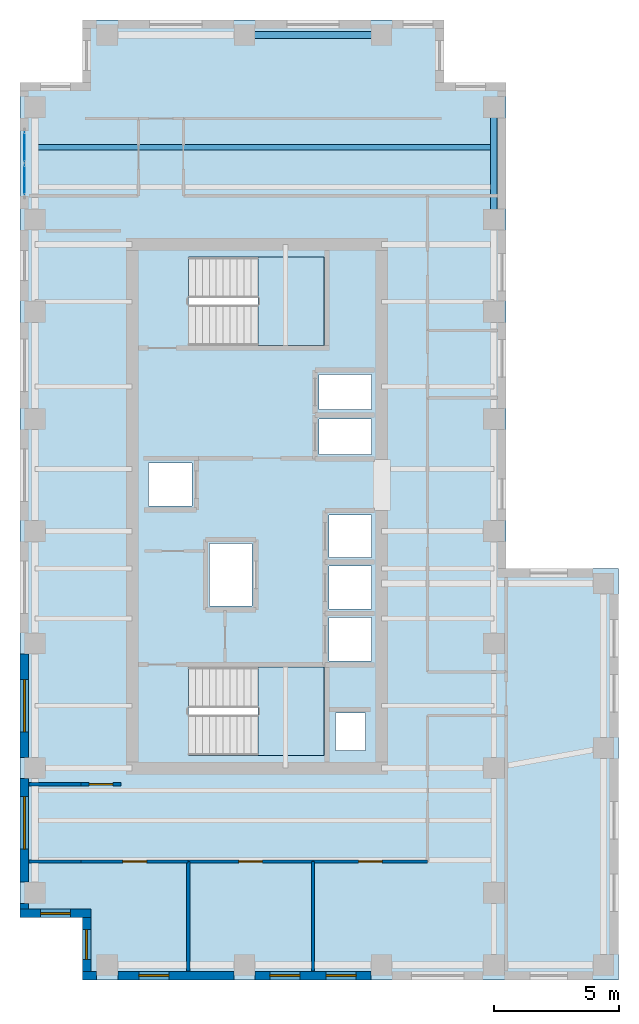
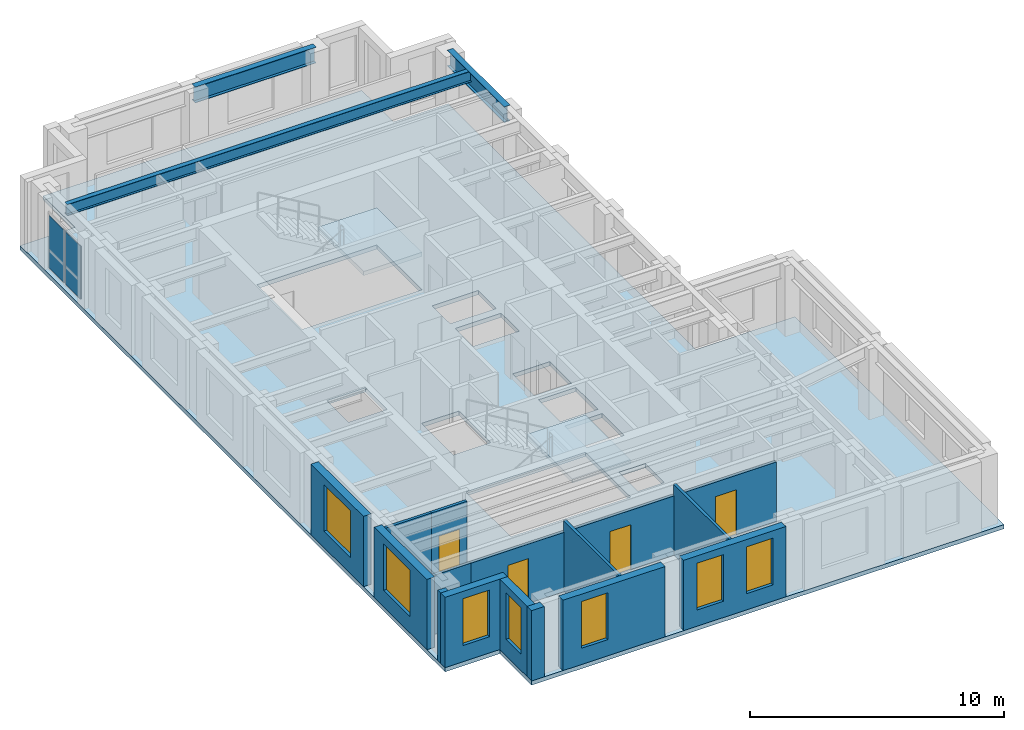
# One storey, part 5 of 10: 16 walls, 7 windows, 4 doors, 3 beams, 3 slabs, 2 plates, 11 openings, 3 elements without a shape of their own.
"""IFC4 building model written with IfcOpenShell, lengths in metres."""

from ifc_helpers import new_model, si_unit, direction, frame, frame_2d, origin, origin_2d, place, context, subcontext, project, spatial, polyline, rectangle, i_section, outline, extrude, source, transform, mapped, material, layer, layer_set, material_profile, profile_set, type_object, element, fill, aggregate, save


model = new_model("IFC4")

# Units and contexts
model_context = context("Model", 3, precision=1e-05, world=origin(), true_north=direction((0.0, 1.0)))
body_context = subcontext(model_context, "Body", "Model", "MODEL_VIEW")
ifc_project = project(units=[si_unit("LENGTHUNIT", "METRE"), si_unit("AREAUNIT", "SQUARE_METRE"), si_unit("VOLUMEUNIT", "CUBIC_METRE"), si_unit("PLANEANGLEUNIT", "RADIAN"), si_unit("MASSUNIT", "GRAM", prefix="KILO")], contexts=[model_context])

# Site, building, storey
site_placement = place(None, origin())
site = spatial("IfcSite", under=ifc_project, at=site_placement, CompositionType="ELEMENT")
building_placement = place(site_placement, origin())
building = spatial("IfcBuilding", under=site, at=building_placement, Name="Kharzan Plaza Tower", CompositionType="ELEMENT")
storey_placement = place(building_placement, frame((0.0, 0.0, 270.0)))
storey = spatial("IfcBuildingStorey", under=building, at=storey_placement, Name="L73", CompositionType="ELEMENT", Elevation=270.0)

# Beams
ifc_material_1 = material(Name="Steel S355", Category="steel")
ifc_material_profile_1 = material_profile(ifc_material_1, i_section(OverallWidth=0.2099609375, OverallDepth=0.537109375, WebThickness=0.010986328125, FlangeThickness=0.017333984375, at=origin_2d()), Name="W530x101")
ifc_profile_set_1 = profile_set([ifc_material_profile_1], Name="Steel S355")
beam_type_1 = type_object("IfcBeamType", Name="BM-JST530B", PredefinedType="JOIST", material=ifc_profile_set_1)
shared_shape_1 = source(origin(), body_context, "Body", "SweptSolid", [
    extrude(i_section(OverallWidth=0.2099609375, OverallDepth=0.537109375, WebThickness=0.010986328125, FlangeThickness=0.017333984375, at=origin_2d()), origin(), (0.0, 0.0, 1.0), 18.39990234375),
])
beam_1_placement = place(storey_placement, frame((0.60009765625, 33.39990234375, 3.131591796875), z_axis=(1.0, 0.0, 0.0), x_axis=(0.0, 1.0, 0.0)))
element("IfcBeam", 1, at=beam_1_placement, inside=storey, type_object=beam_type_1, Name="L73 Wing A Composite Joist 05", PredefinedType="JOIST", context=body_context, shape_type="MappedRepresentation", body=[
    mapped(shared_shape_1, transform((0.0, 0.0, 0.0), x_axis=(1.0, 0.0, 0.0), y_axis=(0.0, 1.0, 0.0), z_axis=(0.0, 0.0, 1.0))),
])
ifc_material_profile_2 = material_profile(ifc_material_1, i_section(OverallWidth=0.26708984375, OverallDepth=0.76611328125, WebThickness=0.014892578125, FlangeThickness=0.023681640625, at=origin_2d()), Name="W760x185")
ifc_profile_set_2 = profile_set([ifc_material_profile_2], Name="Steel S355")
beam_type_2 = type_object("IfcBeamType", Name="BM-SP760B", PredefinedType="SPANDREL", material=ifc_profile_set_2)
shared_shape_2 = source(origin(), body_context, "Body", "SweptSolid", [
    extrude(i_section(OverallWidth=0.26708984375, OverallDepth=0.76611328125, WebThickness=0.014892578125, FlangeThickness=0.023681640625, at=origin_2d()), origin(), (0.0, 0.0, 1.0), 4.5),
])
beam_2_placement = place(storey_placement, frame((19.0, 30.5, 3.01708984375), z_axis=(0.0, 1.0, 0.0), x_axis=(-1.0, 0.0, 0.0)))
element("IfcBeam", 2, at=beam_2_placement, inside=storey, type_object=beam_type_2, Name="L73 Perimeter Tube Spandrel", PredefinedType="SPANDREL", context=body_context, shape_type="MappedRepresentation", body=[
    mapped(shared_shape_2, transform((0.0, 0.0, 0.0), x_axis=(1.0, 0.0, 0.0), y_axis=(0.0, 1.0, 0.0), z_axis=(0.0, 0.0, 1.0))),
])
shared_shape_3 = source(origin(), body_context, "Body", "SweptSolid", [
    extrude(i_section(OverallWidth=0.26708984375, OverallDepth=0.76611328125, WebThickness=0.014892578125, FlangeThickness=0.023681640625, at=origin_2d()), origin(), (0.0, 0.0, 1.0), 5.5),
])
beam_3_placement = place(storey_placement, frame((9.0, 37.89990234375, 3.01708984375), z_axis=(1.0, 0.0, 0.0), x_axis=(0.0, 1.0, 0.0)))
element("IfcBeam", 3, at=beam_3_placement, inside=storey, type_object=beam_type_2, Name="L73 Perimeter Tube Spandrel", PredefinedType="SPANDREL", context=body_context, shape_type="MappedRepresentation", body=[
    mapped(shared_shape_3, transform((0.0, 0.0, 0.0), x_axis=(1.0, 0.0, 0.0), y_axis=(0.0, 1.0, 0.0), z_axis=(0.0, 0.0, 1.0))),
])

# Slab
ifc_material_2 = material(Name="Concrete C40/50", Category="concrete")
ifc_layer_1 = layer(ifc_material_2, 0.199951171875)
ifc_layer_set_1 = layer_set([ifc_layer_1], Name="Concrete C40/50")
slab_type_1 = type_object("IfcSlabType", Name="SL-FLOOR-200", PredefinedType="FLOOR", material=ifc_layer_set_1)
slab_1_placement = place(storey_placement, frame((0.0, 0.0, -0.199951171875)))
element("IfcSlab", 4, at=slab_1_placement, inside=storey, type_object=slab_type_1, Name="L73 Composite Structural Floor Slab 200 mm", PredefinedType="FLOOR", context=body_context, shape_type="SweptSolid", body=[
    extrude(outline(polyline([(19.5, 36.0), (17.0, 36.0), (17.0, 38.5), (2.5, 38.5), (2.5, 36.0), (0.0, 36.0), (0.0, 2.5), (2.5, 2.5), (2.5, 0.0), (19.5, 0.0), (24.0, 0.0), (24.0, 16.5), (19.5, 16.5), (19.5, 36.0)]), holes=[polyline([(13.85009765625, 10.699951171875), (12.64990234375, 10.699951171875), (12.64990234375, 9.199951171875), (13.85009765625, 9.199951171875), (13.85009765625, 10.699951171875)]), polyline([(12.199951171875, 12.550048828125), (6.75, 12.550048828125), (6.75, 9.0), (12.199951171875, 9.0), (12.199951171875, 12.550048828125)]), polyline([(14.10009765625, 14.530029296875), (12.39990234375, 14.530029296875), (12.39990234375, 12.800048828125), (14.10009765625, 12.800048828125), (14.10009765625, 14.530029296875)]), polyline([(14.10009765625, 14.8701171875), (14.10009765625, 16.60009765625), (12.39990234375, 16.60009765625), (12.39990234375, 14.8701171875), (14.10009765625, 14.8701171875)]), polyline([(9.300048828125, 15.0), (9.300048828125, 17.5), (7.60009765625, 17.5), (7.60009765625, 15.0), (9.300048828125, 15.0)]), polyline([(14.10009765625, 18.64990234375), (12.39990234375, 18.64990234375), (12.39990234375, 16.93994140625), (14.10009765625, 16.93994140625), (14.10009765625, 18.64990234375)]), polyline([(6.89990234375, 20.72998046875), (5.14990234375, 20.72998046875), (5.14990234375, 19.010009765625), (6.89990234375, 19.010009765625), (6.89990234375, 20.72998046875)]), polyline([(14.10009765625, 22.489990234375), (12.0, 22.489990234375), (12.0, 21.070068359375), (14.10009765625, 21.070068359375), (14.10009765625, 22.489990234375)]), polyline([(14.10009765625, 22.8701171875), (14.10009765625, 24.2900390625), (12.0, 24.2900390625), (12.0, 22.8701171875), (14.10009765625, 22.8701171875)]), polyline([(12.199951171875, 25.449951171875), (12.199951171875, 29.0), (6.75, 29.0), (6.75, 25.449951171875), (12.199951171875, 25.449951171875)])]), origin(), (0.0, 0.0, 1.0), 0.199951171875),
])

# Stair, slab
stair_type_1 = type_object("IfcStairType", Name="STR-ST-1", PredefinedType="HALF_TURN_STAIR", material=ifc_material_2)
stair_1_placement = place(storey_placement, origin())
stair_1 = element("IfcStair", 5, at=stair_1_placement, inside=storey, type_object=stair_type_1, Name="L73 Protected Exit Stair ST-1", PredefinedType="HALF_TURN_STAIR")
ifc_layer_2 = layer(ifc_material_2, 0.219970703125)
ifc_layer_set_2 = layer_set([ifc_layer_2], Name="Concrete C40/50")
slab_type_2 = type_object("IfcSlabType", Name="SL-LANDING-220", PredefinedType="LANDING", material=ifc_layer_set_2)
slab_2_placement = place(storey_placement, frame((0.0, 0.0, 1.60009765625)))
slab_2 = element("IfcSlab", 6, at=slab_2_placement, type_object=slab_type_2, Name="ST-1 landing 1", PredefinedType="LANDING", context=body_context, shape_type="SweptSolid", body=[
    extrude(outline(polyline([(9.550048828125, 9.0), (12.199951171875, 9.0), (12.199951171875, 12.550048828125), (9.550048828125, 12.550048828125), (9.550048828125, 9.0)])), origin(), (0.0, 0.0, 1.0), 0.199951171875),
])
aggregate(stair_1, [slab_2])

stair_type_2 = type_object("IfcStairType", Name="STR-ST-2", PredefinedType="HALF_TURN_STAIR", material=ifc_material_2)
stair_2_placement = place(storey_placement, origin())
stair_2 = element("IfcStair", 7, at=stair_2_placement, inside=storey, type_object=stair_type_2, Name="L73 Protected Exit Stair ST-2", PredefinedType="HALF_TURN_STAIR")
slab_3_placement = place(storey_placement, frame((0.0, 0.0, 1.60009765625)))
slab_3 = element("IfcSlab", 8, at=slab_3_placement, type_object=slab_type_2, Name="ST-2 landing 1", PredefinedType="LANDING", context=body_context, shape_type="SweptSolid", body=[
    extrude(outline(polyline([(9.550048828125, 25.449951171875), (12.199951171875, 25.449951171875), (12.199951171875, 29.0), (9.550048828125, 29.0), (9.550048828125, 25.449951171875)])), origin(), (0.0, 0.0, 1.0), 0.199951171875),
])
aggregate(stair_2, [slab_3])

# Curtain wall, plates
ifc_material_3 = material(Name="Unitised Bronze-Anodized Aluminium and Low-E Glass", Category="aluminium")
ifc_layer_3 = layer(ifc_material_3, 0.199951171875)
ifc_layer_set_3 = layer_set([ifc_layer_3], Name="Unitised Bronze-Anodized Aluminium and Low-E Glass")
curtain_wall_type = type_object("IfcCurtainWallType", Name="CW-EXEC-5", PredefinedType="NOTDEFINED", material=ifc_layer_set_3)
curtain_wall_placement = place(storey_placement, origin())
curtain_wall = element("IfcCurtainWall", 9, at=curtain_wall_placement, inside=storey, type_object=curtain_wall_type, Name="L73 Upper Executive Setback Panoramic Curtain Wall", PredefinedType="NOTDEFINED")
ifc_material_4 = material(Name="Dark Solar-Control Double Glazing", Category="glass")
ifc_layer_4 = layer(ifc_material_4, 0.031982421875)
ifc_layer_set_4 = layer_set([ifc_layer_4], Name="Dark Solar-Control Double Glazing")
plate_type = type_object("IfcPlateType", Name="PLT-CW-GLASS", PredefinedType="CURTAIN_PANEL", material=ifc_layer_set_4)
shared_shape_4 = source(origin(), body_context, "Body", "SweptSolid", [
    extrude(rectangle(XDim=1.179931640625, YDim=0.031982421875, at=origin_2d()), origin(), (0.0, 0.0, 1.0), 2.5400390625),
])
plate_1_placement = place(storey_placement, frame((0.179931640625, 32.10009765625, 0.080078125), z_axis=(0.0, 0.0, 1.0), x_axis=(0.0, 1.0, 0.0)))
plate_1 = element("IfcPlate", 10, at=plate_1_placement, type_object=plate_type, Name="L73 Curtain-Wall Glazed Panel 00", PredefinedType="CURTAIN_PANEL", context=body_context, shape_type="MappedRepresentation", body=[
    mapped(shared_shape_4, transform((0.0, 0.0, 0.0), x_axis=(1.0, 0.0, 0.0), y_axis=(0.0, 1.0, 0.0), z_axis=(0.0, 0.0, 1.0))),
])
plate_2_placement = place(storey_placement, frame((0.179931640625, 33.39990234375, 0.080078125), z_axis=(0.0, 0.0, 1.0), x_axis=(0.0, 1.0, 0.0)))
plate_2 = element("IfcPlate", 11, at=plate_2_placement, type_object=plate_type, Name="L73 Curtain-Wall Glazed Panel 01", PredefinedType="CURTAIN_PANEL", context=body_context, shape_type="MappedRepresentation", body=[
    mapped(shared_shape_4, transform((0.0, 0.0, 0.0), x_axis=(1.0, 0.0, 0.0), y_axis=(0.0, 1.0, 0.0), z_axis=(0.0, 0.0, 1.0))),
])
aggregate(curtain_wall, [plate_1, plate_2])

# Wall, opening, window
ifc_layer_5 = layer(ifc_material_2, 0.35009765625)
ifc_layer_set_5 = layer_set([ifc_layer_5], Name="Concrete C40/50")
wall_type_1 = type_object("IfcWallType", Name="WL-EXT-MAS-Z4", PredefinedType="SOLIDWALL", material=ifc_layer_set_5)
wall_1_placement = place(storey_placement, frame((0.175048828125, 13.076904296875, 0.0), z_axis=(0.0, 0.0, 1.0), x_axis=(0.0, -1.0, 0.0)))
wall_1 = element("IfcWall", 12, at=wall_1_placement, inside=storey, type_object=wall_type_1, Name="L73 Masonry-Frame Exterior Wall 15", PredefinedType="SOLIDWALL", context=body_context, shape_type="SweptSolid", body=[
    extrude(rectangle(XDim=4.15380859375, YDim=0.35009765625, at=frame_2d((2.076904296875, 0.0))), origin(), (0.0, 0.0, 1.0), 3.385009765625),
])
opening_1_placement = place(wall_1_placement, frame((1.027099609375, 0.0, 0.780029296875)))
opening_1 = element("IfcOpeningElement", 13, at=opening_1_placement, cuts=wall_1, Name="Opening W6", PredefinedType="OPENING", context=body_context, shape_type="SweptSolid", body=[
    extrude(rectangle(XDim=2.10009765625, YDim=2.25, at=frame_2d((1.050048828125, 1.125))), frame((0.0, 0.18505859375, 0.0), z_axis=(0.0, -1.0, 0.0), x_axis=(1.0, 0.0, 0.0)), (0.0, 0.0, 1.0), 0.3701171875),
])
ifc_material_5 = material(Name="Low-E Double Glazing", Category="glass")
window_type_1 = type_object("IfcWindowType", Name="WN-EXEC-2100x2250", PartitioningType="SINGLE_PANEL", PredefinedType="WINDOW", material=ifc_material_5)
shared_shape_5 = source(origin(), body_context, "Body", "SweptSolid", [
    extrude(rectangle(XDim=2.10009765625, YDim=2.25, at=frame_2d((1.050048828125, 1.125))), frame((0.0, 0.030029296875, 0.0), z_axis=(0.0, -1.0, 0.0), x_axis=(1.0, 0.0, 0.0)), (0.0, 0.0, 1.0), 0.06005859375),
])
window_1_placement = place(opening_1_placement, origin())
window_1 = element("IfcWindow", 14, at=window_1_placement, inside=storey, type_object=window_type_1, Name="L73 Recessed Solar-Control Window 15-1", OverallHeight=2.25, OverallWidth=2.10009765625, PartitioningType="SINGLE_PANEL", PredefinedType="WINDOW", context=body_context, shape_type="MappedRepresentation", body=[
    mapped(shared_shape_5, transform((0.0, 0.0, 0.0), x_axis=(1.0, 0.0, 0.0), y_axis=(0.0, 1.0, 0.0), z_axis=(0.0, 0.0, 1.0))),
])
fill(opening_1, window_1)

wall_2_placement = place(storey_placement, frame((0.175048828125, 8.076904296875, 0.0), z_axis=(0.0, 0.0, 1.0), x_axis=(0.0, -1.0, 0.0)))
wall_2 = element("IfcWall", 15, at=wall_2_placement, inside=storey, type_object=wall_type_1, Name="L73 Masonry-Frame Exterior Wall 16", PredefinedType="SOLIDWALL", context=body_context, shape_type="SweptSolid", body=[
    extrude(rectangle(XDim=4.15380859375, YDim=0.35009765625, at=frame_2d((2.076904296875, 0.0))), origin(), (0.0, 0.0, 1.0), 3.385009765625),
])
opening_2_placement = place(wall_2_placement, frame((0.72705078125, 0.0, 0.780029296875)))
opening_2 = element("IfcOpeningElement", 16, at=opening_2_placement, cuts=wall_2, Name="Opening W6", PredefinedType="OPENING", context=body_context, shape_type="SweptSolid", body=[
    extrude(rectangle(XDim=2.10009765625, YDim=2.25, at=frame_2d((1.050048828125, 1.125))), frame((0.0, 0.18505859375, 0.0), z_axis=(0.0, -1.0, 0.0), x_axis=(1.0, 0.0, 0.0)), (0.0, 0.0, 1.0), 0.3701171875),
])
window_2_placement = place(opening_2_placement, origin())
window_2 = element("IfcWindow", 17, at=window_2_placement, inside=storey, type_object=window_type_1, Name="L73 Recessed Solar-Control Window 16-1", OverallHeight=2.25, OverallWidth=2.10009765625, PartitioningType="SINGLE_PANEL", PredefinedType="WINDOW", context=body_context, shape_type="MappedRepresentation", body=[
    mapped(shared_shape_5, transform((0.0, 0.0, 0.0), x_axis=(1.0, 0.0, 0.0), y_axis=(0.0, 1.0, 0.0), z_axis=(0.0, 0.0, 1.0))),
])
fill(opening_2, window_2)

wall_3_placement = place(storey_placement, frame((0.0, 2.675048828125, 0.0), z_axis=(0.0, 0.0, 1.0), x_axis=(1.0, 0.0, 0.0)))
wall_3 = element("IfcWall", 18, at=wall_3_placement, inside=storey, type_object=wall_type_1, Name="L73 Masonry-Frame Exterior Wall 18", PredefinedType="SOLIDWALL", context=body_context, shape_type="SweptSolid", body=[
    extrude(rectangle(XDim=2.85009765625, YDim=0.35009765625, at=frame_2d((1.425048828125, 0.0))), origin(), (0.0, 0.0, 1.0), 3.385009765625),
])
opening_3_placement = place(wall_3_placement, frame((0.824951171875, 0.0, 0.780029296875)))
opening_3 = element("IfcOpeningElement", 19, at=opening_3_placement, cuts=wall_3, Name="Opening W3", PredefinedType="OPENING", context=body_context, shape_type="SweptSolid", body=[
    extrude(rectangle(XDim=1.199951171875, YDim=2.25, at=frame_2d((0.60009765625, 1.125))), frame((0.0, 0.18505859375, 0.0), z_axis=(0.0, -1.0, 0.0), x_axis=(1.0, 0.0, 0.0)), (0.0, 0.0, 1.0), 0.3701171875),
])
window_type_2 = type_object("IfcWindowType", Name="WN-REC-1200x2100", PartitioningType="SINGLE_PANEL", PredefinedType="WINDOW", material=ifc_material_5)
shared_shape_6 = source(origin(), body_context, "Body", "SweptSolid", [
    extrude(rectangle(XDim=1.199951171875, YDim=2.25, at=frame_2d((0.60009765625, 1.125))), frame((0.0, 0.030029296875, 0.0), z_axis=(0.0, -1.0, 0.0), x_axis=(1.0, 0.0, 0.0)), (0.0, 0.0, 1.0), 0.06005859375),
])
window_3_placement = place(opening_3_placement, origin())
window_3 = element("IfcWindow", 20, at=window_3_placement, inside=storey, type_object=window_type_2, Name="L73 Recessed Solar-Control Window 18-1", OverallHeight=2.25, OverallWidth=1.199951171875, PartitioningType="SINGLE_PANEL", PredefinedType="WINDOW", context=body_context, shape_type="MappedRepresentation", body=[
    mapped(shared_shape_6, transform((0.0, 0.0, 0.0), x_axis=(1.0, 0.0, 0.0), y_axis=(0.0, 1.0, 0.0), z_axis=(0.0, 0.0, 1.0))),
])
fill(opening_3, window_3)

wall_4_placement = place(storey_placement, frame((2.675048828125, 2.501953125, 0.0), z_axis=(0.0, 0.0, 1.0), x_axis=(0.0, -1.0, 0.0)))
wall_4 = element("IfcWall", 21, at=wall_4_placement, inside=storey, type_object=wall_type_1, Name="L73 Masonry-Frame Exterior Wall 19", PredefinedType="SOLIDWALL", context=body_context, shape_type="SweptSolid", body=[
    extrude(rectangle(XDim=2.154052734375, YDim=0.35009765625, at=frame_2d((1.0771484375, 0.0))), origin(), (0.0, 0.0, 1.0), 3.385009765625),
])
opening_4_placement = place(wall_4_placement, frame((0.47705078125, 0.0, 0.780029296875)))
opening_4 = element("IfcOpeningElement", 22, at=opening_4_placement, cuts=wall_4, Name="Opening W3", PredefinedType="OPENING", context=body_context, shape_type="SweptSolid", body=[
    extrude(rectangle(XDim=1.199951171875, YDim=2.25, at=frame_2d((0.60009765625, 1.125))), frame((0.0, 0.18505859375, 0.0), z_axis=(0.0, -1.0, 0.0), x_axis=(1.0, 0.0, 0.0)), (0.0, 0.0, 1.0), 0.3701171875),
])
window_4_placement = place(opening_4_placement, origin())
window_4 = element("IfcWindow", 23, at=window_4_placement, inside=storey, type_object=window_type_2, Name="L73 Recessed Solar-Control Window 19-1", OverallHeight=2.25, OverallWidth=1.199951171875, PartitioningType="SINGLE_PANEL", PredefinedType="WINDOW", context=body_context, shape_type="MappedRepresentation", body=[
    mapped(shared_shape_6, transform((0.0, 0.0, 0.0), x_axis=(1.0, 0.0, 0.0), y_axis=(0.0, 1.0, 0.0), z_axis=(0.0, 0.0, 1.0))),
])
fill(opening_4, window_4)

wall_5_placement = place(storey_placement, frame((3.923095703125, 0.175048828125, 0.0), z_axis=(0.0, 0.0, 1.0), x_axis=(1.0, 0.0, 0.0)))
wall_5 = element("IfcWall", 24, at=wall_5_placement, inside=storey, type_object=wall_type_1, Name="L73 Masonry-Frame Exterior Wall 21", PredefinedType="SOLIDWALL", context=body_context, shape_type="SweptSolid", body=[
    extrude(rectangle(XDim=4.65380859375, YDim=0.35009765625, at=frame_2d((2.326904296875, 0.0))), origin(), (0.0, 0.0, 1.0), 3.385009765625),
])
opening_5_placement = place(wall_5_placement, frame((0.846923828125, 0.0, 0.780029296875)))
opening_5 = element("IfcOpeningElement", 25, at=opening_5_placement, cuts=wall_5, Name="Opening W3", PredefinedType="OPENING", context=body_context, shape_type="SweptSolid", body=[
    extrude(rectangle(XDim=1.199951171875, YDim=2.25, at=frame_2d((0.60009765625, 1.125))), frame((0.0, 0.18505859375, 0.0), z_axis=(0.0, -1.0, 0.0), x_axis=(1.0, 0.0, 0.0)), (0.0, 0.0, 1.0), 0.3701171875),
])
window_5_placement = place(opening_5_placement, origin())
window_5 = element("IfcWindow", 26, at=window_5_placement, inside=storey, type_object=window_type_2, Name="L73 Recessed Solar-Control Window 21-1", OverallHeight=2.25, OverallWidth=1.199951171875, PartitioningType="SINGLE_PANEL", PredefinedType="WINDOW", context=body_context, shape_type="MappedRepresentation", body=[
    mapped(shared_shape_6, transform((0.0, 0.0, 0.0), x_axis=(1.0, 0.0, 0.0), y_axis=(0.0, 1.0, 0.0), z_axis=(0.0, 0.0, 1.0))),
])
fill(opening_5, window_5)

# Wall, openings, windows
wall_6_placement = place(storey_placement, frame((9.423095703125, 0.175048828125, 0.0), z_axis=(0.0, 0.0, 1.0), x_axis=(1.0, 0.0, 0.0)))
wall_6 = element("IfcWall", 27, at=wall_6_placement, inside=storey, type_object=wall_type_1, Name="L73 Masonry-Frame Exterior Wall 22", PredefinedType="SOLIDWALL", context=body_context, shape_type="SweptSolid", body=[
    extrude(rectangle(XDim=4.65380859375, YDim=0.35009765625, at=frame_2d((2.326904296875, 0.0))), origin(), (0.0, 0.0, 1.0), 3.385009765625),
])
opening_6_placement = place(wall_6_placement, frame((0.599609375, 0.0, 0.780029296875)))
opening_6 = element("IfcOpeningElement", 28, at=opening_6_placement, cuts=wall_6, Name="Opening W3", PredefinedType="OPENING", context=body_context, shape_type="SweptSolid", body=[
    extrude(rectangle(XDim=1.199951171875, YDim=2.25, at=frame_2d((0.60009765625, 1.125))), frame((0.0, 0.18505859375, 0.0), z_axis=(0.0, -1.0, 0.0), x_axis=(1.0, 0.0, 0.0)), (0.0, 0.0, 1.0), 0.3701171875),
])
opening_7_placement = place(wall_6_placement, frame((2.8564453125, 0.0, 0.780029296875)))
opening_7 = element("IfcOpeningElement", 29, at=opening_7_placement, cuts=wall_6, Name="Opening W3", PredefinedType="OPENING", context=body_context, shape_type="SweptSolid", body=[
    extrude(rectangle(XDim=1.199951171875, YDim=2.25, at=frame_2d((0.60009765625, 1.125))), frame((0.0, 0.18505859375, 0.0), z_axis=(0.0, -1.0, 0.0), x_axis=(1.0, 0.0, 0.0)), (0.0, 0.0, 1.0), 0.3701171875),
])
window_6_placement = place(opening_6_placement, origin())
window_6 = element("IfcWindow", 30, at=window_6_placement, inside=storey, type_object=window_type_2, Name="L73 Recessed Solar-Control Window 22-1", OverallHeight=2.25, OverallWidth=1.199951171875, PartitioningType="SINGLE_PANEL", PredefinedType="WINDOW", context=body_context, shape_type="MappedRepresentation", body=[
    mapped(shared_shape_6, transform((0.0, 0.0, 0.0), x_axis=(1.0, 0.0, 0.0), y_axis=(0.0, 1.0, 0.0), z_axis=(0.0, 0.0, 1.0))),
])
fill(opening_6, window_6)
window_7_placement = place(opening_7_placement, origin())
window_7 = element("IfcWindow", 31, at=window_7_placement, inside=storey, type_object=window_type_2, Name="L73 Recessed Solar-Control Window 22-2", OverallHeight=2.25, OverallWidth=1.199951171875, PartitioningType="SINGLE_PANEL", PredefinedType="WINDOW", context=body_context, shape_type="MappedRepresentation", body=[
    mapped(shared_shape_6, transform((0.0, 0.0, 0.0), x_axis=(1.0, 0.0, 0.0), y_axis=(0.0, 1.0, 0.0), z_axis=(0.0, 0.0, 1.0))),
])
fill(opening_7, window_7)

# Wall, opening, door
ifc_material_6 = material(Name="Fire-Rated Gypsum Board Partition", Category="gypsum")
ifc_layer_6 = layer(ifc_material_6, 0.125)
ifc_layer_set_6 = layer_set([ifc_layer_6], Name="Fire-Rated Gypsum Board Partition")
wall_type_2 = type_object("IfcWallType", Name="WL-INT-PART-125", PredefinedType="PARTITIONING", material=ifc_layer_set_6)
wall_7_placement = place(storey_placement, frame((2.449951171875, 7.85009765625, 0.0), z_axis=(0.0, 0.0, 1.0), x_axis=(1.0, 0.0, 0.0)))
wall_7 = element("IfcWall", 32, at=wall_7_placement, inside=storey, type_object=wall_type_2, Name="L73 Interior Partition SH-RWSD", PredefinedType="PARTITIONING", context=body_context, shape_type="SweptSolid", body=[
    extrude(rectangle(XDim=1.60009765625, YDim=0.125, at=frame_2d((0.800048828125, 0.0))), origin(), (0.0, 0.0, 1.0), 3.385009765625),
])
opening_8_placement = place(wall_7_placement, frame((0.324951171875, 0.0, 0.0)))
opening_8 = element("IfcOpeningElement", 33, at=opening_8_placement, cuts=wall_7, Name="Opening OD1", PredefinedType="OPENING", context=body_context, shape_type="SweptSolid", body=[
    extrude(rectangle(XDim=0.949951171875, YDim=2.14990234375, at=frame_2d((0.47509765625, 1.074951171875))), frame((0.0, 0.072509765625, 0.0), z_axis=(0.0, -1.0, 0.0), x_axis=(1.0, 0.0, 0.0)), (0.0, 0.0, 1.0), 0.14501953125),
])
ifc_material_7 = material(Name="Acoustic Solid-Core Stained Oak", Category="timber")
door_type = type_object("IfcDoorType", Name="DR-OFF-SINGLE", OperationType="NOTDEFINED", PredefinedType="DOOR", material=ifc_material_7)
shared_shape_7 = source(origin(), body_context, "Body", "SweptSolid", [
    extrude(rectangle(XDim=0.949951171875, YDim=2.14990234375, at=frame_2d((0.47509765625, 1.074951171875))), frame((0.0, 0.02490234375, 0.0), z_axis=(0.0, -1.0, 0.0), x_axis=(1.0, 0.0, 0.0)), (0.0, 0.0, 1.0), 0.050048828125),
])
door_1_placement = place(opening_8_placement, origin())
door_1 = element("IfcDoor", 34, at=door_1_placement, inside=storey, type_object=door_type, Name="L73 West Studio South Door", OperationType="SINGLE_SWING_LEFT", OverallHeight=2.14990234375, OverallWidth=0.949951171875, PredefinedType="DOOR", context=body_context, shape_type="MappedRepresentation", body=[
    mapped(shared_shape_7, transform((0.0, 0.0, 0.0), x_axis=(1.0, 0.0, 0.0), y_axis=(0.0, 1.0, 0.0), z_axis=(0.0, 0.0, 1.0))),
])
fill(opening_8, door_1)

wall_8_placement = place(storey_placement, frame((2.449951171875, 4.75, 0.0), z_axis=(0.0, 0.0, 1.0), x_axis=(1.0, 0.0, 0.0)))
wall_8 = element("IfcWall", 35, at=wall_8_placement, inside=storey, type_object=wall_type_2, Name="L73 Interior Partition SH-SS-1", PredefinedType="PARTITIONING", context=body_context, shape_type="SweptSolid", body=[
    extrude(rectangle(XDim=4.297119140625, YDim=0.125, at=frame_2d((2.1484375, 0.0))), origin(), (0.0, 0.0, 1.0), 2.847900390625),
])
opening_9_placement = place(wall_8_placement, frame((1.673583984375, 0.0, 0.0)))
opening_9 = element("IfcOpeningElement", 36, at=opening_9_placement, cuts=wall_8, Name="Opening OD1", PredefinedType="OPENING", context=body_context, shape_type="SweptSolid", body=[
    extrude(rectangle(XDim=0.949951171875, YDim=2.14990234375, at=frame_2d((0.47509765625, 1.074951171875))), frame((0.0, 0.072509765625, 0.0), z_axis=(0.0, -1.0, 0.0), x_axis=(1.0, 0.0, 0.0)), (0.0, 0.0, 1.0), 0.14501953125),
])
door_2_placement = place(opening_9_placement, origin())
door_2 = element("IfcDoor", 37, at=door_2_placement, inside=storey, type_object=door_type, Name="L73 Port Logistics Office Door", OperationType="SINGLE_SWING_RIGHT", OverallHeight=2.14990234375, OverallWidth=0.949951171875, PredefinedType="DOOR", context=body_context, shape_type="MappedRepresentation", body=[
    mapped(shared_shape_7, transform((0.0, 0.0, 0.0), x_axis=(1.0, 0.0, 0.0), y_axis=(0.0, 1.0, 0.0), z_axis=(0.0, 0.0, 1.0))),
])
fill(opening_9, door_2)

wall_9_placement = place(storey_placement, frame((6.7470703125, 4.75, 0.0), z_axis=(0.0, 0.0, 1.0), x_axis=(1.0, 0.0, 0.0)))
wall_9 = element("IfcWall", 38, at=wall_9_placement, inside=storey, type_object=wall_type_2, Name="L73 Interior Partition SH-SS-2", PredefinedType="PARTITIONING", context=body_context, shape_type="SweptSolid", body=[
    extrude(rectangle(XDim=5.0048828125, YDim=0.125, at=frame_2d((2.50244140625, 0.0))), origin(), (0.0, 0.0, 1.0), 2.847900390625),
])
opening_10_placement = place(wall_9_placement, frame((2.027587890625, 0.0, 0.0)))
opening_10 = element("IfcOpeningElement", 39, at=opening_10_placement, cuts=wall_9, Name="Opening OD1", PredefinedType="OPENING", context=body_context, shape_type="SweptSolid", body=[
    extrude(rectangle(XDim=0.949951171875, YDim=2.14990234375, at=frame_2d((0.47509765625, 1.074951171875))), frame((0.0, 0.072509765625, 0.0), z_axis=(0.0, -1.0, 0.0), x_axis=(1.0, 0.0, 0.0)), (0.0, 0.0, 1.0), 0.14501953125),
])
door_3_placement = place(opening_10_placement, origin())
door_3 = element("IfcDoor", 40, at=door_3_placement, inside=storey, type_object=door_type, Name="L73 Hospitality Tea Pantry Door", OperationType="SINGLE_SWING_LEFT", OverallHeight=2.14990234375, OverallWidth=0.949951171875, PredefinedType="DOOR", context=body_context, shape_type="MappedRepresentation", body=[
    mapped(shared_shape_7, transform((0.0, 0.0, 0.0), x_axis=(1.0, 0.0, 0.0), y_axis=(0.0, 1.0, 0.0), z_axis=(0.0, 0.0, 1.0))),
])
fill(opening_10, door_3)

wall_10_placement = place(storey_placement, frame((11.751953125, 4.75, 0.0), z_axis=(0.0, 0.0, 1.0), x_axis=(1.0, 0.0, 0.0)))
wall_10 = element("IfcWall", 41, at=wall_10_placement, inside=storey, type_object=wall_type_2, Name="L73 Interior Partition SH-SS-3", PredefinedType="PARTITIONING", context=body_context, shape_type="SweptSolid", body=[
    extrude(rectangle(XDim=4.59814453125, YDim=0.125, at=frame_2d((2.299072265625, 0.0))), origin(), (0.0, 0.0, 1.0), 2.847900390625),
])
opening_11_placement = place(wall_10_placement, frame((1.823974609375, 0.0, 0.0)))
opening_11 = element("IfcOpeningElement", 42, at=opening_11_placement, cuts=wall_10, Name="Opening OD1", PredefinedType="OPENING", context=body_context, shape_type="SweptSolid", body=[
    extrude(rectangle(XDim=0.949951171875, YDim=2.14990234375, at=frame_2d((0.47509765625, 1.074951171875))), frame((0.0, 0.072509765625, 0.0), z_axis=(0.0, -1.0, 0.0), x_axis=(1.0, 0.0, 0.0)), (0.0, 0.0, 1.0), 0.14501953125),
])
door_4_placement = place(opening_11_placement, origin())
door_4 = element("IfcDoor", 43, at=door_4_placement, inside=storey, type_object=door_type, Name="L73 Hospitality Tea Pantry Door", OperationType="SINGLE_SWING_RIGHT", OverallHeight=2.14990234375, OverallWidth=0.949951171875, PredefinedType="DOOR", context=body_context, shape_type="MappedRepresentation", body=[
    mapped(shared_shape_7, transform((0.0, 0.0, 0.0), x_axis=(1.0, 0.0, 0.0), y_axis=(0.0, 1.0, 0.0), z_axis=(0.0, 0.0, 1.0))),
])
fill(opening_11, door_4)

# Walls
shared_shape_8 = source(origin(), body_context, "Body", "SweptSolid", [
    extrude(rectangle(XDim=2.097900390625, YDim=0.125, at=frame_2d((1.048828125, 0.0))), origin(), (0.0, 0.0, 1.0), 3.385009765625),
])
wall_11_placement = place(storey_placement, frame((0.35205078125, 7.85009765625, 0.0), z_axis=(0.0, 0.0, 1.0), x_axis=(1.0, 0.0, 0.0)))
element("IfcWall", 44, at=wall_11_placement, inside=storey, type_object=wall_type_2, Name="L73 Interior Partition SH-RWS0", PredefinedType="PARTITIONING", context=body_context, shape_type="MappedRepresentation", body=[
    mapped(shared_shape_8, transform((0.0, 0.0, 0.0), x_axis=(1.0, 0.0, 0.0), y_axis=(0.0, 1.0, 0.0), z_axis=(0.0, 0.0, 1.0))),
])
shared_shape_9 = source(origin(), body_context, "Body", "SweptSolid", [
    extrude(rectangle(XDim=2.097900390625, YDim=0.125, at=frame_2d((1.048828125, 0.0))), origin(), (0.0, 0.0, 1.0), 2.847900390625),
])
wall_12_placement = place(storey_placement, frame((0.35205078125, 4.75, 0.0), z_axis=(0.0, 0.0, 1.0), x_axis=(1.0, 0.0, 0.0)))
element("IfcWall", 45, at=wall_12_placement, inside=storey, type_object=wall_type_2, Name="L73 Interior Partition SH-SS-EXT", PredefinedType="PARTITIONING", context=body_context, shape_type="MappedRepresentation", body=[
    mapped(shared_shape_9, transform((0.0, 0.0, 0.0), x_axis=(1.0, 0.0, 0.0), y_axis=(0.0, 1.0, 0.0), z_axis=(0.0, 0.0, 1.0))),
])
shared_shape_10 = source(origin(), body_context, "Body", "SweptSolid", [
    extrude(rectangle(XDim=4.39794921875, YDim=0.125, at=frame_2d((2.198974609375, 0.0))), origin(), (0.0, 0.0, 1.0), 3.385009765625),
])
for number, where, z_axis, x_axis, name in (
    (46, (6.7470703125, 0.35205078125, 0.0), (0.0, 0.0, 1.0), (0.0, 1.0, 0.0), "L73 Interior Partition SH-SV-1"),
    (47, (11.751953125, 0.35205078125, 0.0), (0.0, 0.0, 1.0), (0.0, 1.0, 0.0), "L73 Interior Partition SH-SV-2"),
):
    element("IfcWall", number, at=place(storey_placement, frame(where, z_axis=z_axis, x_axis=x_axis)), inside=storey, type_object=wall_type_2, Name=name, PredefinedType="PARTITIONING", context=body_context, shape_type="MappedRepresentation", body=[
        mapped(shared_shape_10, transform((0.0, 0.0, 0.0), x_axis=(1.0, 0.0, 0.0), y_axis=(0.0, 1.0, 0.0), z_axis=(0.0, 0.0, 1.0))),
    ])
shared_shape_11 = source(origin(), body_context, "Body", "SweptSolid", [
    extrude(rectangle(XDim=0.576904296875, YDim=0.35009765625, at=frame_2d((0.28857421875, 0.0))), origin(), (0.0, 0.0, 1.0), 3.385009765625),
])
wall_13_placement = place(storey_placement, frame((2.5, 0.175048828125, 0.0), z_axis=(0.0, 0.0, 1.0), x_axis=(1.0, 0.0, 0.0)))
element("IfcWall", 48, at=wall_13_placement, inside=storey, type_object=wall_type_1, Name="L73 Masonry-Frame Exterior Wall 20", PredefinedType="SOLIDWALL", context=body_context, shape_type="MappedRepresentation", body=[
    mapped(shared_shape_11, transform((0.0, 0.0, 0.0), x_axis=(1.0, 0.0, 0.0), y_axis=(0.0, 1.0, 0.0), z_axis=(0.0, 0.0, 1.0))),
])
shared_shape_12 = source(origin(), body_context, "Body", "SweptSolid", [
    extrude(rectangle(XDim=0.22900390625, YDim=0.35009765625, at=frame_2d((0.114501953125, 0.0))), origin(), (0.0, 0.0, 1.0), 3.385009765625),
])
wall_14_placement = place(storey_placement, frame((0.175048828125, 3.076904296875, 0.0), z_axis=(0.0, 0.0, 1.0), x_axis=(0.0, -1.0, 0.0)))
element("IfcWall", 49, at=wall_14_placement, inside=storey, type_object=wall_type_1, Name="L73 Masonry-Frame Exterior Wall 17", PredefinedType="SOLIDWALL", context=body_context, shape_type="MappedRepresentation", body=[
    mapped(shared_shape_12, transform((0.0, 0.0, 0.0), x_axis=(1.0, 0.0, 0.0), y_axis=(0.0, 1.0, 0.0), z_axis=(0.0, 0.0, 1.0))),
])

save(model, "model.ifc")
